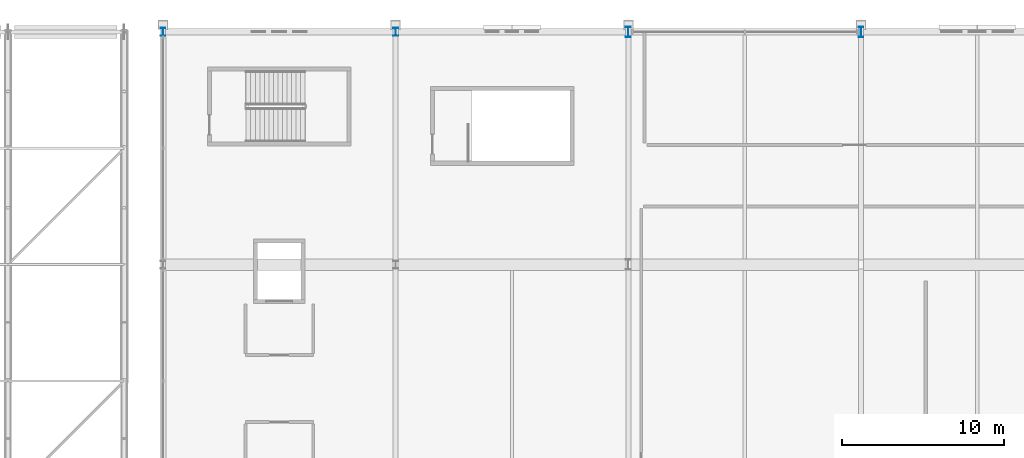
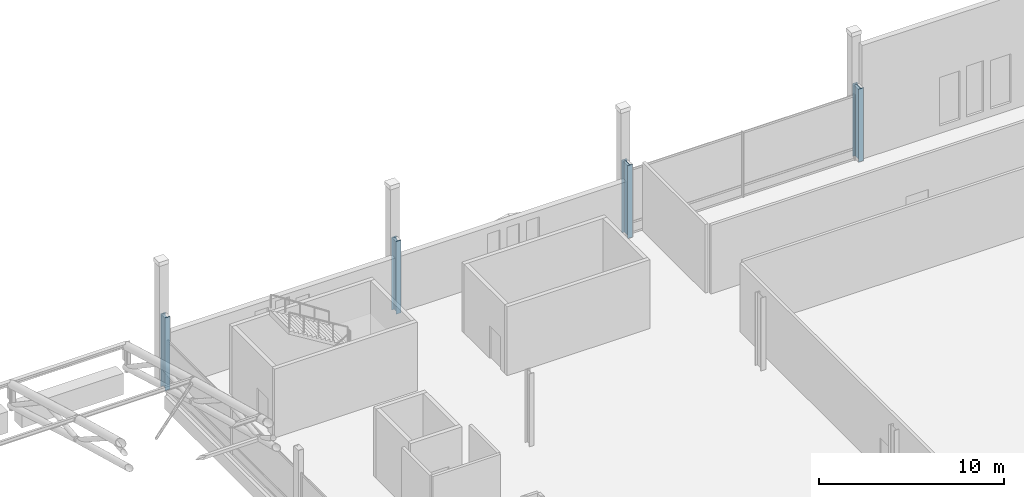
# One storey, part 20 of 193: 4 columns.
"""IFC4 building model written with IfcOpenShell, lengths in metres."""

from ifc_helpers import new_model, si_unit, direction, frame, origin, origin_2d, place, context, subcontext, project, spatial, i_section, extrude, material, material_profile, profile_set, type_object, element, save


model = new_model("IFC4")

# Units and contexts
model_context = context("Model", 3, precision=1e-05, world=origin(), true_north=direction((0.0, 1.0)))
body_context = subcontext(model_context, "Body", "Model", "MODEL_VIEW")
ifc_project = project(units=[si_unit("LENGTHUNIT", "METRE"), si_unit("AREAUNIT", "SQUARE_METRE"), si_unit("VOLUMEUNIT", "CUBIC_METRE"), si_unit("PLANEANGLEUNIT", "RADIAN"), si_unit("MASSUNIT", "GRAM", prefix="KILO")], contexts=[model_context])

# Site, building, storey
site_placement = place(None, origin())
site = spatial("IfcSite", under=ifc_project, at=site_placement, CompositionType="ELEMENT")
building_placement = place(site_placement, origin())
building = spatial("IfcBuilding", under=site, at=building_placement, Name="Cendralis Lancet Convention Centre", CompositionType="ELEMENT")
storey_placement = place(building_placement, frame((0.0, 0.0, 10.199951171875)))
storey = spatial("IfcBuildingStorey", under=building, at=storey_placement, Name="L02", CompositionType="ELEMENT", Elevation=10.199951171875)

# Columns
ifc_material = material(Name="Steel S355", Category="steel")
ifc_material_profile_1 = material_profile(ifc_material, i_section(OverallWidth=0.300048828125, OverallDepth=0.64990234375, WebThickness=0.01611328125, FlangeThickness=0.031005859375, FilletRadius=0.027099609375, at=origin_2d()), Name="HEB 650")
ifc_profile_set_1 = profile_set([ifc_material_profile_1], Name="Steel S355")
column_type_1 = type_object("IfcColumnType", Name="STR-COL-C20", PredefinedType="COLUMN", material=ifc_profile_set_1)
for number, where, z_axis, x_axis, name in (
    (1, (153.60009765625, 136.800048828125, 0.0), (0.0, 0.0, 1.0), (1.0, 0.0, 0.0), "L02 Column C20 at 153.6,136.8"),
    (2, (168.0, 136.800048828125, 0.0), (0.0, 0.0, 1.0), (1.0, 0.0, 0.0), "L02 Column C20 at 168.0,136.8"),
):
    element("IfcColumn", number, at=place(storey_placement, frame(where, z_axis=z_axis, x_axis=x_axis)), inside=storey, type_object=column_type_1, Name=name, PredefinedType="COLUMN", context=body_context, shape_type="SweptSolid", body=[
        extrude(i_section(OverallWidth=0.300048828125, OverallDepth=0.64990234375, WebThickness=0.01611328125, FlangeThickness=0.031005859375, FilletRadius=0.027099609375, at=origin_2d()), origin(), (0.0, 0.0, 1.0), 4.800048828125),
    ])
ifc_material_profile_2 = material_profile(ifc_material, i_section(OverallWidth=0.300048828125, OverallDepth=0.5, WebThickness=0.014404296875, FlangeThickness=0.028076171875, FilletRadius=0.027099609375, at=origin_2d()), Name="HEB 500")
ifc_profile_set_2 = profile_set([ifc_material_profile_2], Name="Steel S355")
column_type_2 = type_object("IfcColumnType", Name="STR-COL-C23", PredefinedType="COLUMN", material=ifc_profile_set_2)
for number, where, z_axis, x_axis, name in (
    (3, (124.800048828125, 136.800048828125, 0.0), (0.0, 0.0, 1.0), (1.0, 0.0, 0.0), "L02 Column C23 at 124.8,136.8"),
    (4, (139.199951171875, 136.800048828125, 0.0), (0.0, 0.0, 1.0), (1.0, 0.0, 0.0), "L02 Column C23 at 139.2,136.8"),
):
    element("IfcColumn", number, at=place(storey_placement, frame(where, z_axis=z_axis, x_axis=x_axis)), inside=storey, type_object=column_type_2, Name=name, PredefinedType="COLUMN", context=body_context, shape_type="SweptSolid", body=[
        extrude(i_section(OverallWidth=0.300048828125, OverallDepth=0.5, WebThickness=0.014404296875, FlangeThickness=0.028076171875, FilletRadius=0.027099609375, at=origin_2d()), origin(), (0.0, 0.0, 1.0), 4.800048828125),
    ])

save(model, "model.ifc")
